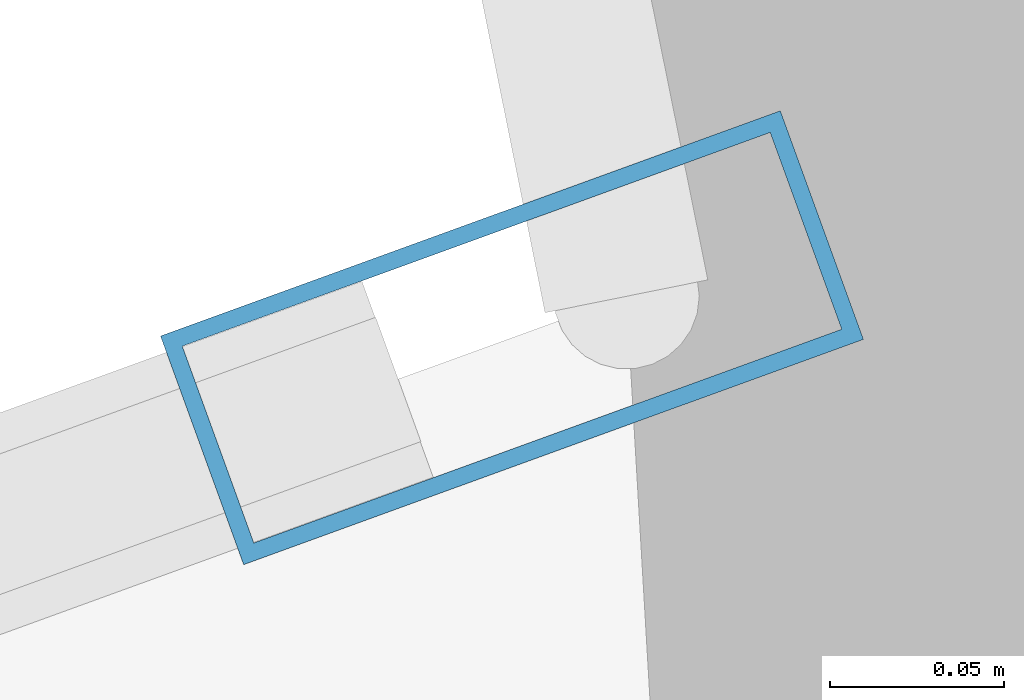
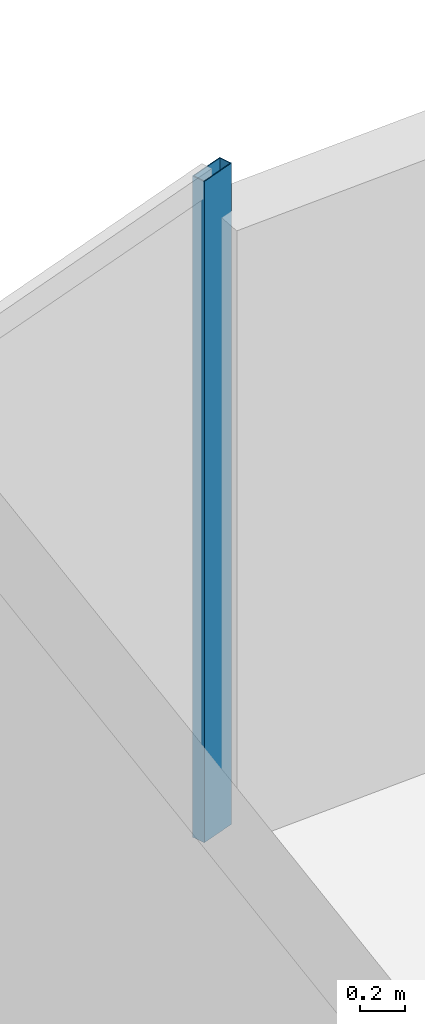
# One storey, part 17 of 26: 1 member, 1 element without a shape of its own.
"""IFC4 building model written with IfcOpenShell, lengths in metres."""

from ifc_helpers import new_model, si_unit, direction, frame, origin, origin_2d, place, context, subcontext, project, spatial, hollow_rectangle, extrude, source, transform, mapped, material, layer, layer_set, material_profile, profile_set, type_object, element, aggregate, save


model = new_model("IFC4")

# Units and contexts
model_context = context("Model", 3, precision=1e-05, world=origin(), true_north=direction((0.0, 1.0)))
body_context = subcontext(model_context, "Body", "Model", "MODEL_VIEW")
ifc_project = project(units=[si_unit("LENGTHUNIT", "METRE"), si_unit("AREAUNIT", "SQUARE_METRE"), si_unit("VOLUMEUNIT", "CUBIC_METRE"), si_unit("PLANEANGLEUNIT", "RADIAN"), si_unit("MASSUNIT", "GRAM", prefix="KILO")], contexts=[model_context])

# Site, building, storey
site_placement = place(None, origin())
site = spatial("IfcSite", under=ifc_project, at=site_placement, CompositionType="ELEMENT")
building_placement = place(site_placement, origin())
building = spatial("IfcBuilding", under=site, at=building_placement, Name="Solvirekh Grand Hotel", CompositionType="ELEMENT")
storey_placement = place(building_placement, frame((0.0, 0.0, 71.60009765625)))
storey = spatial("IfcBuildingStorey", under=building, at=storey_placement, Name="L17", CompositionType="ELEMENT", Elevation=71.60009765625)

# Curtain wall, member
ifc_material = material(Name="Anodized Bronze Aluminium 6063-T6", Category="aluminium")
ifc_layer = layer(ifc_material, 0.18994140625)
ifc_layer_set = layer_set([ifc_layer], Name="Anodized Bronze Aluminium 6063-T6")
curtain_wall_type = type_object("IfcCurtainWallType", Name="CW_Sys2_LowZoneFlushBronzeCW", PredefinedType="NOTDEFINED", material=ifc_layer_set)
curtain_wall_placement = place(storey_placement, origin())
curtain_wall = element("IfcCurtainWall", 1, at=curtain_wall_placement, inside=storey, type_object=curtain_wall_type, Name="L17 unitised bronze-glass curtain wall CW-L17-C08", PredefinedType="NOTDEFINED")
ifc_material_profile = material_profile(ifc_material, hollow_rectangle(XDim=0.070068359375, YDim=0.18994140625, WallThickness=0.0048828125, at=origin_2d()), Name="ALU RHS 190X70X5")
ifc_profile_set = profile_set([ifc_material_profile], Name="Anodized Bronze Aluminium 6063-T6")
member_type = type_object("IfcMemberType", Name="CWMullion_Sys2", PredefinedType="MULLION", material=ifc_profile_set)
shared_shape = source(origin(), body_context, "Body", "SweptSolid", [
    extrude(hollow_rectangle(XDim=0.070068359375, YDim=0.18994140625, WallThickness=0.0048828125, at=origin_2d()), origin(), (0.0, 0.0, 1.0), 3.599853515625),
])
member_placement = place(storey_placement, frame((-10.31689453125, 22.01611328125, 0.0), z_axis=(0.0, 0.0, 1.0), x_axis=(0.341576335296, -0.939854035032, 0.0)))
member = element("IfcMember", 2, at=member_placement, type_object=member_type, Name="U02 mullion 1", PredefinedType="MULLION", context=body_context, shape_type="MappedRepresentation", body=[
    mapped(shared_shape, transform((0.0, 0.0, 0.0), x_axis=(1.0, 0.0, 0.0), y_axis=(0.0, 1.0, 0.0), z_axis=(0.0, 0.0, 1.0), scale=1.0)),
])
aggregate(curtain_wall, [member])

save(model, "model.ifc")
